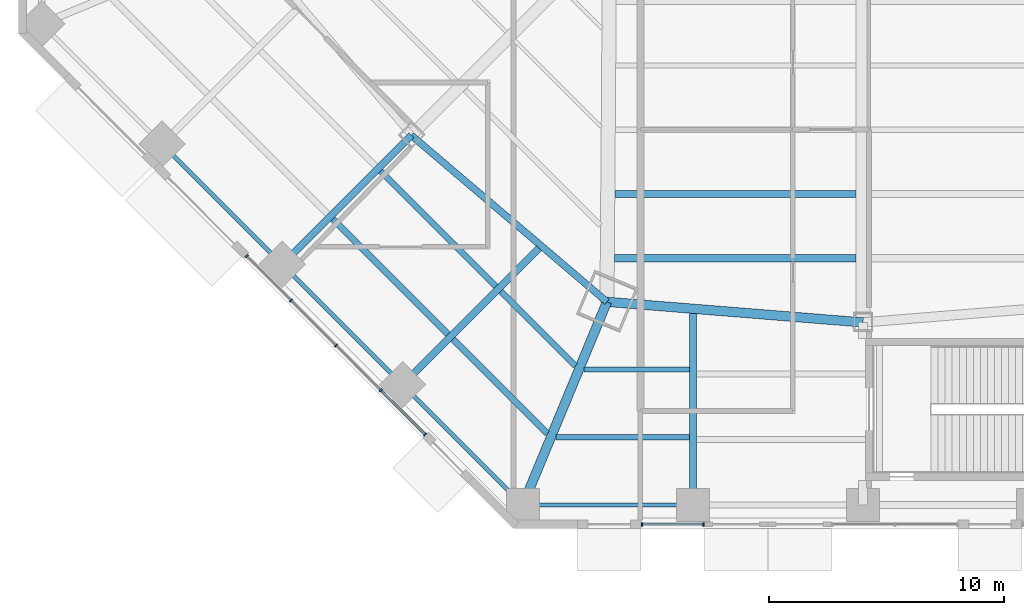
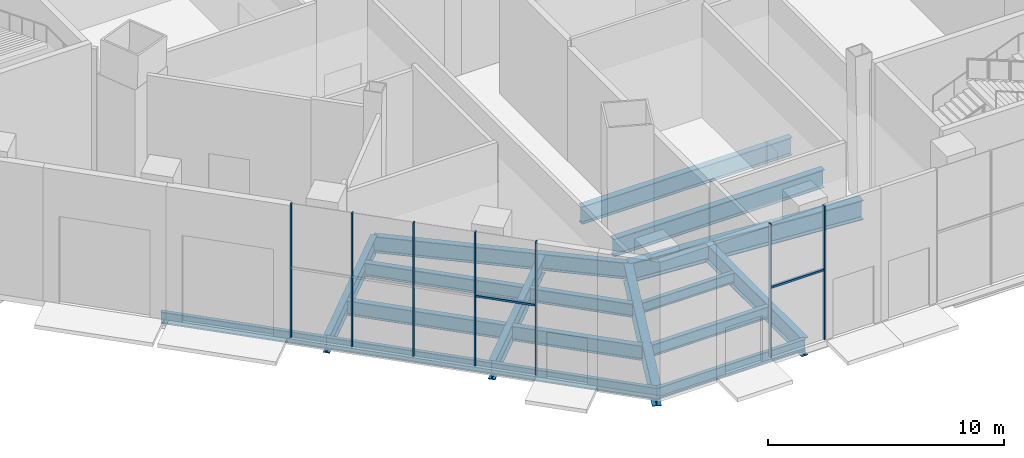
# One storey, part 2 of 35: 18 beams, 9 members, 2 elements without a shape of their own.
"""IFC4 building model written with IfcOpenShell, lengths in metres."""

from ifc_helpers import new_model, si_unit, direction, frame, origin, origin_2d, place, context, subcontext, project, spatial, rectangle, i_section, extrude, source, transform, mapped, material, material_profile, profile_set, type_object, type_shapes, element, aggregate, save


model = new_model("IFC4")

# Units and contexts
model_context = context("Model", 3, precision=1e-05, world=origin(), true_north=direction((0.0, 1.0)))
body_context = subcontext(model_context, "Body", "Model", "MODEL_VIEW")
ifc_project = project(units=[si_unit("LENGTHUNIT", "METRE"), si_unit("AREAUNIT", "SQUARE_METRE"), si_unit("VOLUMEUNIT", "CUBIC_METRE"), si_unit("PLANEANGLEUNIT", "RADIAN"), si_unit("MASSUNIT", "GRAM", prefix="KILO")], contexts=[model_context])

# Site, building, storey
site_placement = place(None, origin())
site = spatial("IfcSite", under=ifc_project, at=site_placement, CompositionType="ELEMENT")
building_placement = place(site_placement, origin())
building = spatial("IfcBuilding", under=site, at=building_placement, Name="Mashrafa Tower", CompositionType="ELEMENT")
storey_placement = place(building_placement, origin())
storey = spatial("IfcBuildingStorey", under=building, at=storey_placement, Name="L00", CompositionType="ELEMENT", Elevation=0.0)

# Beams
ifc_material_1 = material(Name="Steel ASTM A992", Category="steel")
ifc_material_profile_1 = material_profile(ifc_material_1, i_section(OverallWidth=0.209228515625, OverallDepth=0.533447265625, WebThickness=0.01025390625, FlangeThickness=0.015625, FilletRadius=0.012939453125, at=origin_2d()), Name="W21X62")
ifc_profile_set_1 = profile_set([ifc_material_profile_1], Name="Steel ASTM A992")
beam_type_1 = type_object("IfcBeamType", Name="Beam W21X62", PredefinedType="BEAM", material=ifc_profile_set_1)
beam_1_placement = place(storey_placement, frame((-7.40234375, -29.22998046875, -0.566650390625), z_axis=(-1.0, 0.0, 0.0), x_axis=(0.0, -1.0, 0.0)))
element("IfcBeam", 1, at=beam_1_placement, inside=storey, type_object=beam_type_1, Name="Floor beam L00 045", PredefinedType="BEAM", context=body_context, shape_type="SweptSolid", body=[
    extrude(i_section(OverallWidth=0.209228515625, OverallDepth=0.533447265625, WebThickness=0.01025390625, FlangeThickness=0.015625, FilletRadius=0.012939453125, at=origin_2d()), origin(), (0.0, 0.0, 1.0), 4.488037109375),
])
ifc_material_2 = material(Name="Steel ASTM A992", Category="steel")
ifc_material_profile_2 = material_profile(ifc_material_2, i_section(OverallWidth=0.177978515625, OverallDepth=0.599365234375, WebThickness=0.010009765625, FlangeThickness=0.012939453125, FilletRadius=0.012939453125, at=origin_2d()), Name="W24X55")
ifc_profile_set_2 = profile_set([ifc_material_profile_2], Name="Steel ASTM A992")
beam_type_2 = type_object("IfcBeamType", Name="Beam W24X55", PredefinedType="BEAM", material=ifc_profile_set_2)
for number, where, z_axis, x_axis, name in (
    (2, (-29.87451171875, -19.623046875, -0.599609375), (0.707106781187, -0.707106781187, 0.0), (0.707106781187, 0.707106781187, 0.0), "Podium edge beam L00 113"),
    (3, (-24.748779296875, -24.748779296875, -0.599609375), (0.707106781187, -0.707106781187, 0.0), (0.707106781187, 0.707106781187, 0.0), "Podium edge beam L00 115"),
):
    element("IfcBeam", number, at=place(storey_placement, frame(where, z_axis=z_axis, x_axis=x_axis)), inside=storey, type_object=beam_type_2, Name=name, PredefinedType="BEAM", context=body_context, shape_type="SweptSolid", body=[
        extrude(i_section(OverallWidth=0.177978515625, OverallDepth=0.599365234375, WebThickness=0.010009765625, FlangeThickness=0.012939453125, FilletRadius=0.012939453125, at=origin_2d()), origin(), (0.0, 0.0, 1.0), 7.248779296875),
    ])
beam_2_placement = place(storey_placement, frame((-19.623046875, -29.87451171875, -0.599609375), z_axis=(0.707106781187, -0.707106781187, 0.0), x_axis=(0.707106781187, 0.707106781187, 0.0)))
element("IfcBeam", 4, at=beam_2_placement, inside=storey, type_object=beam_type_2, Name="Podium edge beam L00 117", PredefinedType="BEAM", context=body_context, shape_type="SweptSolid", body=[
    extrude(i_section(OverallWidth=0.177978515625, OverallDepth=0.599365234375, WebThickness=0.010009765625, FlangeThickness=0.012939453125, FilletRadius=0.012939453125, at=origin_2d()), origin(), (0.0, 0.0, 1.0), 7.24853515625),
])
beam_3_placement = place(storey_placement, frame((-14.49755859375, -35.0, -0.599609375), z_axis=(1.0, 0.0, 0.0), x_axis=(0.0, 1.0, 0.0)))
element("IfcBeam", 5, at=beam_3_placement, inside=storey, type_object=beam_type_2, Name="Podium edge beam L00 119", PredefinedType="BEAM", context=body_context, shape_type="SweptSolid", body=[
    extrude(i_section(OverallWidth=0.177978515625, OverallDepth=0.599365234375, WebThickness=0.010009765625, FlangeThickness=0.012939453125, FilletRadius=0.012939453125, at=origin_2d()), origin(), (0.0, 0.0, 1.0), 7.248779296875),
])
ifc_material_3 = material(Name="Steel ASTM A992", Category="steel")
ifc_material_profile_3 = material_profile(ifc_material_3, i_section(OverallWidth=0.227783203125, OverallDepth=0.60205078125, WebThickness=0.010498046875, FlangeThickness=0.014892578125, FilletRadius=0.012939453125, at=origin_2d()), Name="W24X68")
ifc_profile_set_3 = profile_set([ifc_material_profile_3], Name="Steel ASTM A992")
beam_type_3 = type_object("IfcBeamType", Name="Beam W24X68", PredefinedType="BEAM", material=ifc_profile_set_3)
beam_4_placement = place(storey_placement, frame((-7.40234375, -32.114990234375, -0.60107421875), z_axis=(-1.0, 0.0, 0.0), x_axis=(0.0, -1.0, 0.0)))
element("IfcBeam", 6, at=beam_4_placement, inside=storey, type_object=beam_type_3, Name="Floor beam L00 044", PredefinedType="BEAM", context=body_context, shape_type="SweptSolid", body=[
    extrude(i_section(OverallWidth=0.227783203125, OverallDepth=0.60205078125, WebThickness=0.010498046875, FlangeThickness=0.014892578125, FilletRadius=0.012939453125, at=origin_2d()), origin(), (0.0, 0.0, 1.0), 5.682861328125),
])
ifc_material_4 = material(Name="Steel ASTM A992", Category="steel")
ifc_material_profile_4 = material_profile(ifc_material_4, i_section(OverallWidth=0.256591796875, OverallDepth=0.693359375, WebThickness=0.014404296875, FlangeThickness=0.023681640625, FilletRadius=0.01513671875, at=origin_2d()), Name="W27X114")
ifc_profile_set_4 = profile_set([ifc_material_profile_4], Name="Steel ASTM A992")
beam_type_4 = type_object("IfcBeamType", Name="Beam W27X114", PredefinedType="BEAM", material=ifc_profile_set_4)
beam_5_placement = place(storey_placement, frame((-12.260986328125, -29.076416015625, -0.646728515625), z_axis=(-0.707106781187, 0.707106781187, 0.0), x_axis=(-0.707106781187, -0.707106781187, 0.0)))
element("IfcBeam", 7, at=beam_5_placement, inside=storey, type_object=beam_type_4, Name="Floor beam L00 034 part 1", PredefinedType="BEAM", context=body_context, shape_type="SweptSolid", body=[
    extrude(i_section(OverallWidth=0.256591796875, OverallDepth=0.693359375, WebThickness=0.014404296875, FlangeThickness=0.023681640625, FilletRadius=0.01513671875, at=origin_2d()), origin(), (0.0, 0.0, 1.0), 4.48779296875),
])
beam_6_placement = place(storey_placement, frame((-15.65185546875, -25.685791015625, -0.646728515625), z_axis=(-0.707089214407, 0.707124347529, 0.0), x_axis=(-0.707124347529, -0.707089214407, 0.0)))
element("IfcBeam", 8, at=beam_6_placement, inside=storey, type_object=beam_type_4, Name="Floor beam L00 034 part 2", PredefinedType="BEAM", context=body_context, shape_type="SweptSolid", body=[
    extrude(i_section(OverallWidth=0.256591796875, OverallDepth=0.693359375, WebThickness=0.014404296875, FlangeThickness=0.023681640625, FilletRadius=0.01513671875, at=origin_2d()), origin(), (0.0, 0.0, 1.0), 6.948974609375),
])
ifc_material_5 = material(Name="Steel ASTM A992", Category="steel")
ifc_material_profile_5 = material_profile(ifc_material_5, i_section(OverallWidth=0.2666015625, OverallDepth=0.75439453125, WebThickness=0.01318359375, FlangeThickness=0.01708984375, FilletRadius=0.0166015625, at=origin_2d()), Name="W30X99")
ifc_profile_set_5 = profile_set([ifc_material_profile_5], Name="Steel ASTM A992")
beam_type_5 = type_object("IfcBeamType", Name="Beam W30X99", PredefinedType="BEAM", material=ifc_profile_set_5)
beam_7_placement = place(storey_placement, frame((-13.4560546875, -31.96142578125, -0.67724609375), z_axis=(-0.707106781187, 0.707106781187, 0.0), x_axis=(-0.707106781187, -0.707106781187, 0.0)))
element("IfcBeam", 9, at=beam_7_placement, inside=storey, type_object=beam_type_5, Name="Floor beam L00 030 part 1", PredefinedType="BEAM", context=body_context, shape_type="SweptSolid", body=[
    extrude(i_section(OverallWidth=0.2666015625, OverallDepth=0.75439453125, WebThickness=0.01318359375, FlangeThickness=0.01708984375, FilletRadius=0.0166015625, at=origin_2d()), origin(), (0.0, 0.0, 1.0), 5.682861328125),
])
beam_8_placement = place(storey_placement, frame((-17.69189453125, -27.7255859375, -0.67724609375), z_axis=(-0.707106781187, 0.707106781187, 0.0), x_axis=(-0.707106781187, -0.707106781187, 0.0)))
element("IfcBeam", 10, at=beam_8_placement, inside=storey, type_object=beam_type_5, Name="Floor beam L00 030 part 2", PredefinedType="BEAM", context=body_context, shape_type="SweptSolid", body=[
    extrude(i_section(OverallWidth=0.2666015625, OverallDepth=0.75439453125, WebThickness=0.01318359375, FlangeThickness=0.01708984375, FilletRadius=0.0166015625, at=origin_2d()), origin(), (0.0, 0.0, 1.0), 6.94873046875),
])
ifc_material_6 = material(Name="Steel ASTM A992", Category="steel")
ifc_material_profile_6 = material_profile(ifc_material_6, i_section(OverallWidth=0.2919921875, OverallDepth=0.8408203125, WebThickness=0.0146484375, FlangeThickness=0.021728515625, FilletRadius=0.017333984375, at=origin_2d()), Name="W33X130")
ifc_profile_set_6 = profile_set([ifc_material_profile_6], Name="Steel ASTM A992")
beam_type_6 = type_object("IfcBeamType", Name="Beam W33X130", PredefinedType="BEAM", material=ifc_profile_set_6)
beam_9_placement = place(storey_placement, frame((-19.249755859375, -19.249755859375, -0.720458984375), z_axis=(0.76155016236, -0.648105971434, 0.0), x_axis=(0.648105971434, 0.76155016236, 0.0)))
element("IfcBeam", 11, at=beam_9_placement, inside=storey, type_object=beam_type_6, Name="Podium ring girder L00 184", PredefinedType="BEAM", context=body_context, shape_type="SweptSolid", body=[
    extrude(i_section(OverallWidth=0.2919921875, OverallDepth=0.8408203125, WebThickness=0.0146484375, FlangeThickness=0.021728515625, FilletRadius=0.017333984375, at=origin_2d()), origin(), (0.0, 0.0, 1.0), 10.947509765625),
])
ifc_material_7 = material(Name="Steel ASTM A992", Category="steel")
ifc_material_profile_7 = material_profile(ifc_material_7, i_section(OverallWidth=0.2919921875, OverallDepth=0.8583984375, WebThickness=0.01708984375, FlangeThickness=0.031005859375, FilletRadius=0.017822265625, at=origin_2d()), Name="W33X169")
ifc_profile_set_7 = profile_set([ifc_material_profile_7], Name="Steel ASTM A992")
beam_type_7 = type_object("IfcBeamType", Name="Beam W33X169", PredefinedType="BEAM", material=ifc_profile_set_7)
beam_10_placement = place(storey_placement, frame((-19.249755859375, -19.249755859375, -0.729248046875), z_axis=(-0.707106781187, -0.707106781187, 0.0), x_axis=(0.707106781187, -0.707106781187, 0.0)))
element("IfcBeam", 12, at=beam_10_placement, inside=storey, type_object=beam_type_7, Name="Podium radial beam L00 149", PredefinedType="BEAM", context=body_context, shape_type="SweptSolid", body=[
    extrude(i_section(OverallWidth=0.2919921875, OverallDepth=0.8583984375, WebThickness=0.01708984375, FlangeThickness=0.031005859375, FilletRadius=0.017822265625, at=origin_2d()), origin(), (0.0, 0.0, 1.0), 7.77685546875),
])
ifc_material_8 = material(Name="Steel ASTM A992", Category="steel")
ifc_material_profile_8 = material_profile(ifc_material_8, i_section(OverallWidth=0.3046875, OverallDepth=0.911865234375, WebThickness=0.015869140625, FlangeThickness=0.02392578125, FilletRadius=0.01904296875, at=origin_2d()), Name="W36X150")
ifc_profile_set_8 = profile_set([ifc_material_profile_8], Name="Steel ASTM A992")
beam_type_8 = type_object("IfcBeamType", Name="Beam W36X150", PredefinedType="BEAM", material=ifc_profile_set_8)
beam_11_placement = place(storey_placement, frame((-0.300048828125, -21.748779296875, -0.755859375), z_axis=(-1.0, 0.0, 0.0), x_axis=(0.0, -1.0, 0.0)))
element("IfcBeam", 13, at=beam_11_placement, inside=storey, type_object=beam_type_8, Name="Floor beam L00 049", PredefinedType="BEAM", context=body_context, shape_type="SweptSolid", body=[
    extrude(i_section(OverallWidth=0.3046875, OverallDepth=0.911865234375, WebThickness=0.015869140625, FlangeThickness=0.02392578125, FilletRadius=0.01904296875, at=origin_2d()), origin(), (0.0, 0.0, 1.0), 10.279052734375),
])
ifc_material_9 = material(Name="Steel ASTM A992", Category="steel")
ifc_material_profile_9 = material_profile(ifc_material_9, i_section(OverallWidth=0.307373046875, OverallDepth=0.927001953125, WebThickness=0.01953125, FlangeThickness=0.031982421875, FilletRadius=0.01904296875, at=origin_2d()), Name="W36X194")
ifc_profile_set_9 = profile_set([ifc_material_profile_9], Name="Steel ASTM A992")
beam_type_9 = type_object("IfcBeamType", Name="Beam W36X194", PredefinedType="BEAM", material=ifc_profile_set_9)
beam_12_placement = place(storey_placement, frame((-0.300048828125, -24.486083984375, -0.763671875), z_axis=(-1.0, 0.0, 0.0), x_axis=(0.0, -1.0, 0.0)))
element("IfcBeam", 14, at=beam_12_placement, inside=storey, type_object=beam_type_9, Name="Floor beam L00 048", PredefinedType="BEAM", context=body_context, shape_type="SweptSolid", body=[
    extrude(i_section(OverallWidth=0.307373046875, OverallDepth=0.927001953125, WebThickness=0.01953125, FlangeThickness=0.031982421875, FilletRadius=0.01904296875, at=origin_2d()), origin(), (0.0, 0.0, 1.0), 10.299072265625),
])
beam_13_placement = place(storey_placement, frame((-13.815185546875, -24.06640625, -0.763671875), z_axis=(-0.707091919289, -0.707121642771, 0.0), x_axis=(0.707121642771, -0.707091919289, 0.0)))
element("IfcBeam", 15, at=beam_13_placement, inside=storey, type_object=beam_type_9, Name="Podium radial beam L00 151", PredefinedType="BEAM", context=body_context, shape_type="SweptSolid", body=[
    extrude(i_section(OverallWidth=0.307373046875, OverallDepth=0.927001953125, WebThickness=0.01953125, FlangeThickness=0.031982421875, FilletRadius=0.01904296875, at=origin_2d()), origin(), (0.0, 0.0, 1.0), 8.213623046875),
])
beam_14_placement = place(storey_placement, frame((-7.248779296875, -26.841064453125, -0.763671875), z_axis=(0.0, -1.0, 0.0), x_axis=(1.0, 0.0, 0.0)))
element("IfcBeam", 16, at=beam_14_placement, inside=storey, type_object=beam_type_9, Name="Podium radial beam L00 155", PredefinedType="BEAM", context=body_context, shape_type="SweptSolid", body=[
    extrude(i_section(OverallWidth=0.307373046875, OverallDepth=0.927001953125, WebThickness=0.01953125, FlangeThickness=0.031982421875, FilletRadius=0.01904296875, at=origin_2d()), origin(), (0.0, 0.0, 1.0), 8.158935546875),
])
ifc_material_10 = material(Name="Steel ASTM A992", Category="steel")
ifc_material_profile_10 = material_profile(ifc_material_10, i_section(OverallWidth=0.4013671875, OverallDepth=0.98291015625, WebThickness=0.0166015625, FlangeThickness=0.027099609375, FilletRadius=0.0126953125, at=origin_2d()), Name="W40X199")
ifc_profile_set_10 = profile_set([ifc_material_profile_10], Name="Steel ASTM A992")
beam_type_10 = type_object("IfcBeamType", Name="Beam W40X199", PredefinedType="BEAM", material=ifc_profile_set_10)
beam_15_placement = place(storey_placement, frame((-10.91259765625, -26.344970703125, -0.79150390625), z_axis=(-0.382677092737, -0.923882158446, 0.0), x_axis=(0.923882158446, -0.382677092737, 0.0)))
element("IfcBeam", 17, at=beam_15_placement, inside=storey, type_object=beam_type_10, Name="Podium radial beam L00 153", PredefinedType="BEAM", context=body_context, shape_type="SweptSolid", body=[
    extrude(i_section(OverallWidth=0.4013671875, OverallDepth=0.98291015625, WebThickness=0.0166015625, FlangeThickness=0.027099609375, FilletRadius=0.0126953125, at=origin_2d()), origin(), (0.0, 0.0, 1.0), 9.3681640625),
])
ifc_material_11 = material(Name="Steel ASTM A992", Category="steel")
ifc_material_profile_11 = material_profile(ifc_material_11, i_section(OverallWidth=0.4013671875, OverallDepth=1.010986328125, WebThickness=0.023681640625, FlangeThickness=0.0419921875, FilletRadius=0.02001953125, at=origin_2d()), Name="W40X297")
ifc_profile_set_11 = profile_set([ifc_material_profile_11], Name="Steel ASTM A992")
beam_type_11 = type_object("IfcBeamType", Name="Beam W40X297", PredefinedType="BEAM", material=ifc_profile_set_11)
beam_16_placement = place(storey_placement, frame((-10.91259765625, -26.344970703125, -0.805419921875), z_axis=(0.996777658423, -0.080214086477, 0.0), x_axis=(0.080214086477, 0.996777658423, 0.0)))
element("IfcBeam", 18, at=beam_16_placement, inside=storey, type_object=beam_type_11, Name="Podium ring girder L00 186", PredefinedType="BEAM", context=body_context, shape_type="SweptSolid", body=[
    extrude(i_section(OverallWidth=0.4013671875, OverallDepth=1.010986328125, WebThickness=0.023681640625, FlangeThickness=0.0419921875, FilletRadius=0.02001953125, at=origin_2d()), origin(), (0.0, 0.0, 1.0), 10.94775390625),
])

# Curtain wall, members
ifc_material_12 = material(Name="Unitised aluminium curtain wall", Category="aluminium")
curtain_wall_type = type_object("IfcCurtainWallType", Name="Podium storefront CW-P 150 deep", PredefinedType="NOTDEFINED", material=ifc_material_12)
curtain_wall_1_placement = place(storey_placement, origin())
curtain_wall_1 = element("IfcCurtainWall", 19, at=curtain_wall_1_placement, inside=storey, type_object=curtain_wall_type, Name="Podium storefront L00 south-west part 1", PredefinedType="NOTDEFINED")
ifc_material_13 = material(Name="Extruded aluminium mullion", Category="aluminium")
ifc_material_profile_12 = material_profile(ifc_material_13, rectangle(XDim=0.14990234375, YDim=0.06494140625, at=origin_2d()), Name="Mullion 65x150")
ifc_profile_set_12 = profile_set([ifc_material_profile_12], Name="Extruded aluminium mullion")
member_type_1 = type_object("IfcMemberType", Name="Mullion CW-P 65 x 150", PredefinedType="MULLION", material=ifc_profile_set_12)
shared_shape_1 = source(origin(), body_context, "Body", "SweptSolid", [
    extrude(rectangle(XDim=0.14990234375, YDim=0.06494140625, at=origin_2d()), origin(), (0.0, 0.0, 1.0), 6.89990234375),
])
type_shapes(member_type_1, [shared_shape_1])
member_1_placement = place(storey_placement, frame((-26.26513671875, -24.399169921875, 0.0), z_axis=(0.0, 0.0, 1.0), x_axis=(0.707106781187, 0.707106781187, 0.0)))
member_1 = element("IfcMember", 20, at=member_1_placement, type_object=member_type_1, Name="CW-P mullion 1", PredefinedType="MULLION", context=body_context, shape_type="MappedRepresentation", body=[
    mapped(shared_shape_1, transform((0.0, 0.0, 0.0))),
])
member_2_placement = place(storey_placement, frame((-24.376220703125, -26.2880859375, 0.0), z_axis=(0.0, 0.0, 1.0), x_axis=(0.707106781187, 0.707106781187, 0.0)))
member_2 = element("IfcMember", 21, at=member_2_placement, type_object=member_type_1, Name="CW-P mullion 2", PredefinedType="MULLION", context=body_context, shape_type="MappedRepresentation", body=[
    mapped(shared_shape_1, transform((0.0, 0.0, 0.0))),
])
member_3_placement = place(storey_placement, frame((-22.46435546875, -28.19970703125, 0.0), z_axis=(0.0, 0.0, 1.0), x_axis=(0.707106781187, 0.707106781187, 0.0)))
member_3 = element("IfcMember", 22, at=member_3_placement, type_object=member_type_1, Name="CW-P mullion 3", PredefinedType="MULLION", context=body_context, shape_type="MappedRepresentation", body=[
    mapped(shared_shape_1, transform((0.0, 0.0, 0.0))),
])
member_4_placement = place(storey_placement, frame((-20.552734375, -30.111572265625, 0.0), z_axis=(0.0, 0.0, 1.0), x_axis=(0.707106781187, 0.707106781187, 0.0)))
member_4 = element("IfcMember", 23, at=member_4_placement, type_object=member_type_1, Name="CW-P mullion 4", PredefinedType="MULLION", context=body_context, shape_type="MappedRepresentation", body=[
    mapped(shared_shape_1, transform((0.0, 0.0, 0.0))),
])
member_5_placement = place(storey_placement, frame((-18.663818359375, -32.00048828125, 0.0), z_axis=(0.0, 0.0, 1.0), x_axis=(0.707106781187, 0.707106781187, 0.0)))
member_5 = element("IfcMember", 24, at=member_5_placement, type_object=member_type_1, Name="CW-P mullion 5", PredefinedType="MULLION", context=body_context, shape_type="MappedRepresentation", body=[
    mapped(shared_shape_1, transform((0.0, 0.0, 0.0))),
])

curtain_wall_2_placement = place(storey_placement, origin())
curtain_wall_2 = element("IfcCurtainWall", 25, at=curtain_wall_2_placement, inside=storey, type_object=curtain_wall_type, Name="Podium storefront L00 south part 1", PredefinedType="NOTDEFINED")
member_6_placement = place(storey_placement, frame((-9.430419921875, -35.824951171875, 0.0), z_axis=(0.0, 0.0, 1.0), x_axis=(0.0, 1.0, 0.0)))
member_6 = element("IfcMember", 26, at=member_6_placement, type_object=member_type_1, Name="CW-P mullion 1", PredefinedType="MULLION", context=body_context, shape_type="MappedRepresentation", body=[
    mapped(shared_shape_1, transform((0.0, 0.0, 0.0))),
])
member_7_placement = place(storey_placement, frame((-6.791748046875, -35.824951171875, 0.0), z_axis=(0.0, 0.0, 1.0), x_axis=(0.0, 1.0, 0.0)))
member_7 = element("IfcMember", 27, at=member_7_placement, type_object=member_type_1, Name="CW-P mullion 2", PredefinedType="MULLION", context=body_context, shape_type="MappedRepresentation", body=[
    mapped(shared_shape_1, transform((0.0, 0.0, 0.0))),
])

# Member
ifc_material_14 = material(Name="Extruded aluminium transom", Category="aluminium")
ifc_material_profile_13 = material_profile(ifc_material_14, rectangle(XDim=0.1201171875, YDim=0.10009765625, at=origin_2d()), Name="Transom 100x120")
ifc_profile_set_13 = profile_set([ifc_material_profile_13], Name="Extruded aluminium transom")
member_type_2 = type_object("IfcMemberType", Name="Transom CW-P 100 x 120", PredefinedType="MULLION", material=ifc_profile_set_13)
shared_shape_2 = source(origin(), body_context, "Body", "SweptSolid", [
    extrude(rectangle(XDim=0.1201171875, YDim=0.10009765625, at=origin_2d()), origin(), (0.0, 0.0, 1.0), 2.606201171875),
])
member_8_placement = place(storey_placement, frame((-20.529541015625, -30.134521484375, 3.60009765625), z_axis=(0.707059942066, -0.707153617204, 0.0), x_axis=(0.707153617204, 0.707059942066, 0.0)))
member_8 = element("IfcMember", 28, at=member_8_placement, type_object=member_type_2, Name="CW-P transom 4", PredefinedType="MULLION", context=body_context, shape_type="MappedRepresentation", body=[
    mapped(shared_shape_2, transform((0.0, 0.0, 0.0))),
])

aggregate(curtain_wall_1, [member_1, member_2, member_3, member_4, member_5, member_8])

shared_shape_3 = source(origin(), body_context, "Body", "SweptSolid", [
    extrude(rectangle(XDim=0.1201171875, YDim=0.10009765625, at=origin_2d()), origin(), (0.0, 0.0, 1.0), 2.57373046875),
])
type_shapes(member_type_2, [shared_shape_2, shared_shape_3])
member_9_placement = place(storey_placement, frame((-9.39794921875, -35.824951171875, 3.60009765625), z_axis=(1.0, 0.0, 0.0), x_axis=(0.0, 1.0, 0.0)))
member_9 = element("IfcMember", 29, at=member_9_placement, type_object=member_type_2, Name="CW-P transom 1", PredefinedType="MULLION", context=body_context, shape_type="MappedRepresentation", body=[
    mapped(shared_shape_3, transform((0.0, 0.0, 0.0))),
])

aggregate(curtain_wall_2, [member_6, member_7, member_9])

save(model, "model.ifc")
